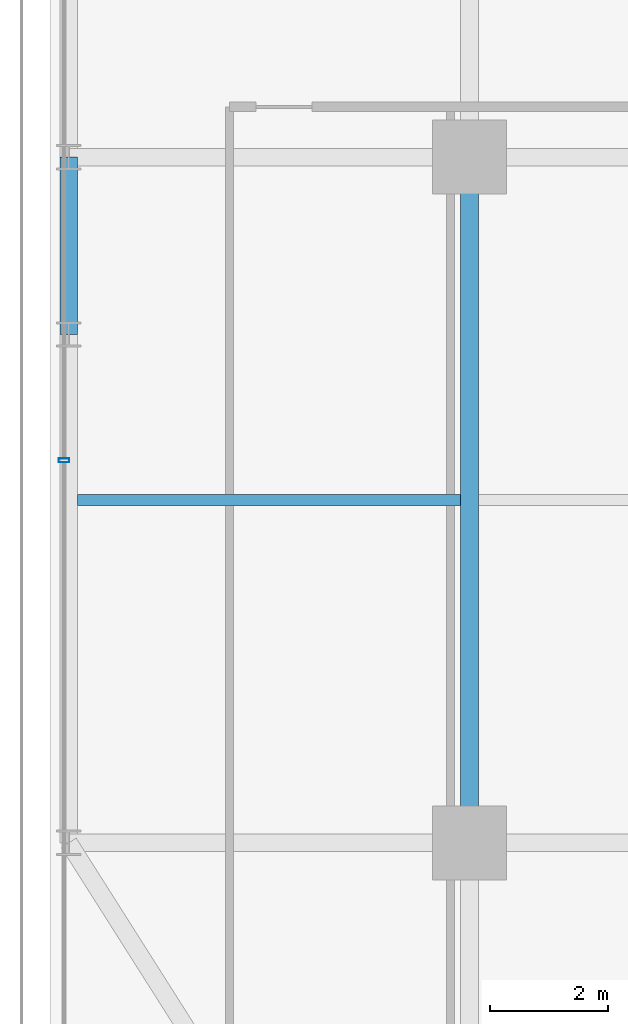
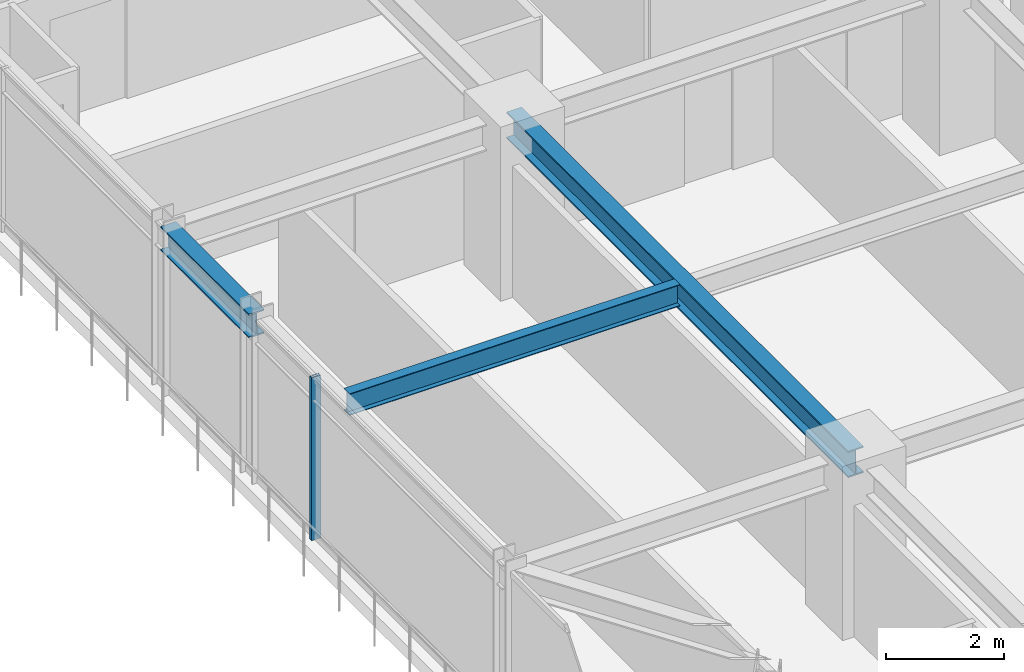
# One storey, part 7 of 34: 3 beams, 1 member, 1 element without a shape of its own.
"""IFC4 building model written with IfcOpenShell, lengths in metres."""

from ifc_helpers import new_model, si_unit, direction, frame, origin, origin_2d, place, context, subcontext, project, spatial, hollow_rectangle, i_section, extrude, source, transform, mapped, material, material_profile, profile_set, type_object, element, aggregate, save


model = new_model("IFC4")

# Units and contexts
model_context = context("Model", 3, precision=1e-05, world=origin(), true_north=direction((0.0, 1.0)))
body_context = subcontext(model_context, "Body", "Model", "MODEL_VIEW")
ifc_project = project(units=[si_unit("LENGTHUNIT", "METRE"), si_unit("AREAUNIT", "SQUARE_METRE"), si_unit("VOLUMEUNIT", "CUBIC_METRE"), si_unit("PLANEANGLEUNIT", "RADIAN"), si_unit("MASSUNIT", "GRAM", prefix="KILO")], contexts=[model_context])

# Site, building, storey
site_placement = place(None, origin())
site = spatial("IfcSite", under=ifc_project, at=site_placement, CompositionType="ELEMENT")
building_placement = place(site_placement, origin())
building = spatial("IfcBuilding", under=site, at=building_placement, Name="Nahalor Promenade Grand Hotel", CompositionType="ELEMENT")
storey_placement = place(building_placement, frame((0.0, 0.0, 88.300048828125)))
storey = spatial("IfcBuildingStorey", under=building, at=storey_placement, Name="L21", CompositionType="ELEMENT", Elevation=88.300048828125)

# Beams
ifc_material_1 = material(Name="Steel S355JR", Category="steel")
ifc_material_profile_1 = material_profile(ifc_material_1, i_section(OverallWidth=0.3, OverallDepth=0.5, WebThickness=0.0145, FlangeThickness=0.028, at=origin_2d()), Name="HEB 500")
ifc_profile_set_1 = profile_set([ifc_material_profile_1], Name="Steel S355JR")
beam_type_1 = type_object("IfcBeamType", Name="Beam-Spandrel-HEB500", PredefinedType="SPANDREL", material=ifc_profile_set_1)
shared_shape_1 = source(origin(), body_context, "Body", "SweptSolid", [
    extrude(i_section(OverallWidth=0.3, OverallDepth=0.5, WebThickness=0.0145, FlangeThickness=0.028, at=origin_2d()), origin(), (0.0, 0.0, 1.0), 3.0),
])
beam_1_placement = place(storey_placement, frame((-23.780029296875, -8.39990234375, 3.1298828125), z_axis=(0.0, 1.0, 0.0), x_axis=(-1.0, 0.0, 0.0)))
element("IfcBeam", 1, at=beam_1_placement, inside=storey, type_object=beam_type_1, Name="BM-L21-SP-W-1", PredefinedType="SPANDREL", context=body_context, shape_type="MappedRepresentation", body=[
    mapped(shared_shape_1, transform((0.0, 0.0, 0.0), scale=1.0)),
])
ifc_material_profile_2 = material_profile(ifc_material_1, i_section(OverallWidth=0.3, OverallDepth=0.55, WebThickness=0.015, FlangeThickness=0.029, at=origin_2d()), Name="HEB 550")
ifc_profile_set_2 = profile_set([ifc_material_profile_2], Name="Steel S355JR")
beam_type_2 = type_object("IfcBeamType", Name="Beam-Girder-HEB550", PredefinedType="BEAM", material=ifc_profile_set_2)
shared_shape_2 = source(origin(), body_context, "Body", "SweptSolid", [
    extrude(i_section(OverallWidth=0.3, OverallDepth=0.55, WebThickness=0.015, FlangeThickness=0.029, at=origin_2d()), origin(), (0.0, 0.0, 1.0), 11.60009765625),
])
beam_2_placement = place(storey_placement, frame((-17.0, -17.0, 3.10498046875), z_axis=(0.0, 1.0, 0.0), x_axis=(-1.0, 0.0, 0.0)))
element("IfcBeam", 2, at=beam_2_placement, inside=storey, type_object=beam_type_2, Name="BM-L21-GY-0-1", PredefinedType="BEAM", context=body_context, shape_type="MappedRepresentation", body=[
    mapped(shared_shape_2, transform((0.0, 0.0, 0.0), scale=1.0)),
])
ifc_material_profile_3 = material_profile(ifc_material_1, i_section(OverallWidth=0.19, OverallDepth=0.45, WebThickness=0.0094, FlangeThickness=0.0146, at=origin_2d()), Name="IPE 450")
ifc_profile_set_3 = profile_set([ifc_material_profile_3], Name="Steel S355JR")
beam_type_3 = type_object("IfcBeamType", Name="Beam-Joist-IPE450", PredefinedType="JOIST", material=ifc_profile_set_3)
shared_shape_3 = source(origin(), body_context, "Body", "SweptSolid", [
    extrude(i_section(OverallWidth=0.19, OverallDepth=0.45, WebThickness=0.0094, FlangeThickness=0.0146, at=origin_2d()), origin(), (0.0, 0.0, 1.0), 6.47998046875),
])
beam_3_placement = place(storey_placement, frame((-23.6298828125, -11.199951171875, 3.155029296875), z_axis=(1.0, 0.0, 0.0), x_axis=(0.0, 1.0, 0.0)))
element("IfcBeam", 3, at=beam_3_placement, inside=storey, type_object=beam_type_3, Name="BM-L21-JSW-0-0", PredefinedType="JOIST", context=body_context, shape_type="MappedRepresentation", body=[
    mapped(shared_shape_3, transform((0.0, 0.0, 0.0), scale=1.0)),
])

# Curtain wall, member
ifc_material_2 = material(Name="Anodised Bronze Aluminium EN AW-6063 T6", Category="aluminium")
curtain_wall_type = type_object("IfcCurtainWallType", Name="CW2 Typical Hotel Flush Bronze Unitised Curtain Wall", PredefinedType="USERDEFINED", material=ifc_material_2)
curtain_wall_placement = place(storey_placement, origin())
curtain_wall = element("IfcCurtainWall", 4, at=curtain_wall_placement, inside=storey, type_object=curtain_wall_type, Name="L21 Curtain Wall CW-L21-W-1", ObjectType="UNITISED_CURTAIN_WALL", PredefinedType="USERDEFINED")
ifc_material_profile_4 = material_profile(ifc_material_2, hollow_rectangle(XDim=0.065, YDim=0.18, WallThickness=0.004, at=origin_2d()), Name="CWM 65x180x4")
ifc_profile_set_4 = profile_set([ifc_material_profile_4], Name="Anodised Bronze Aluminium EN AW-6063 T6")
member_type = type_object("IfcMemberType", Name="CWM2 Typical Bronze Mullion 65x180", PredefinedType="MULLION", material=ifc_profile_set_4)
shared_shape_4 = source(origin(), body_context, "Body", "SweptSolid", [
    extrude(hollow_rectangle(XDim=0.065, YDim=0.18, WallThickness=0.004, at=origin_2d()), origin(), (0.0, 0.0, 1.0), 3.3798828125),
])
member_placement = place(storey_placement, frame((-23.860107421875, -10.530029296875, 0.0), z_axis=(0.0, 0.0, 1.0), x_axis=(0.0, 1.0, 0.0)))
member = element("IfcMember", 5, at=member_placement, type_object=member_type, Name="CW-L21-W-1 Mullion 1", PredefinedType="MULLION", context=body_context, shape_type="MappedRepresentation", body=[
    mapped(shared_shape_4, transform((0.0, 0.0, 0.0), scale=1.0)),
])
aggregate(curtain_wall, [member])

save(model, "model.ifc")
